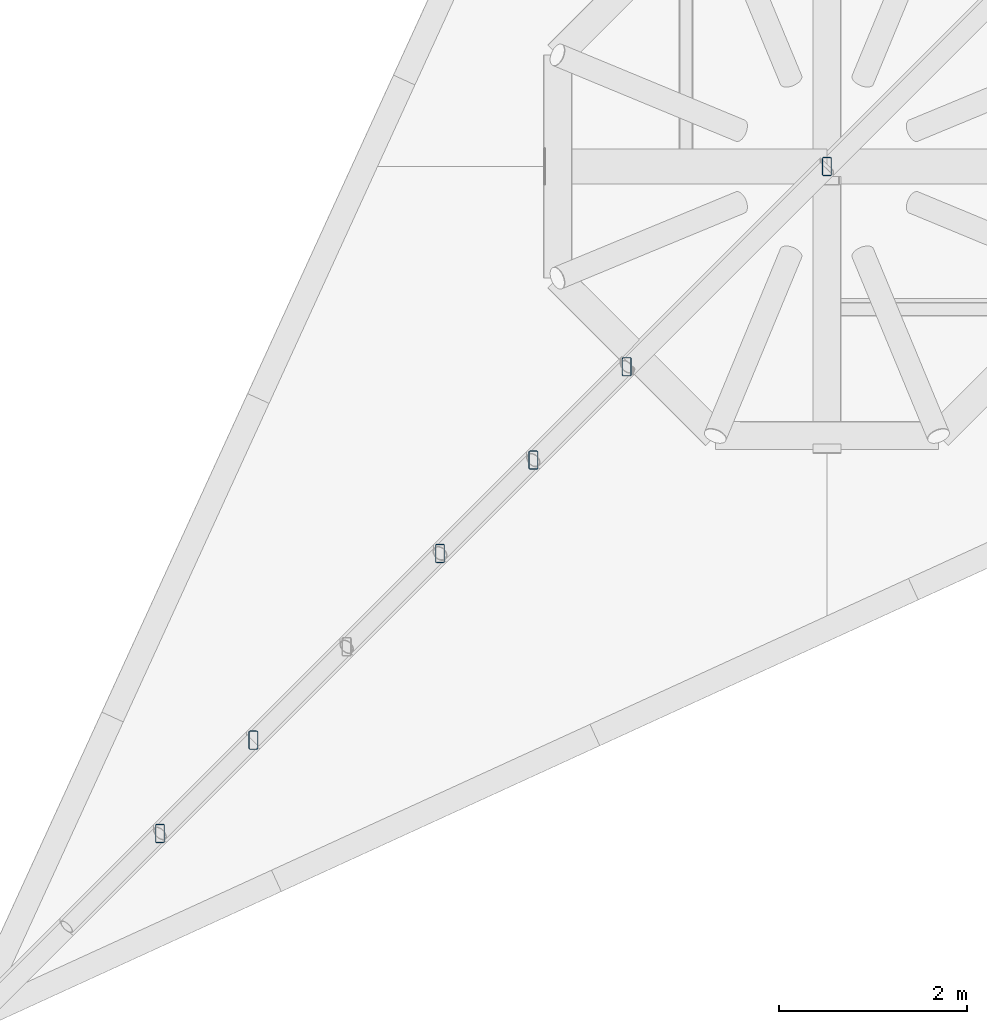
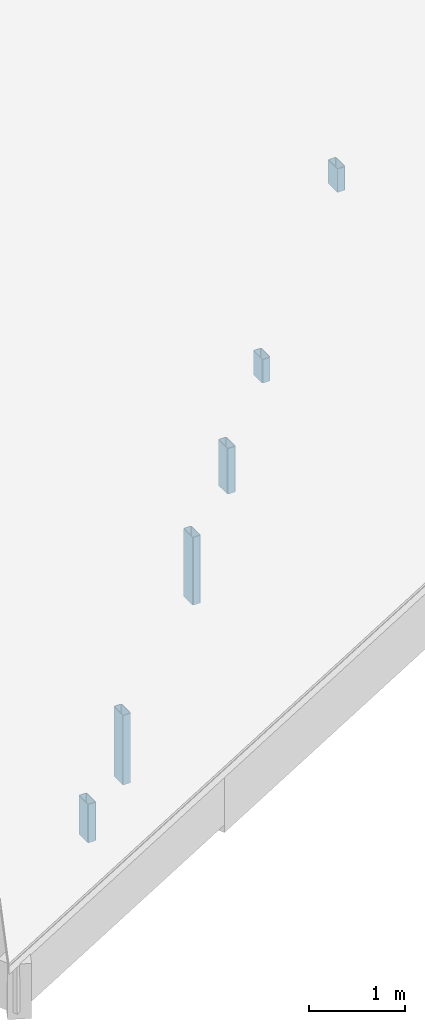
# One storey, part 27 of 56: 6 members.
"""IFC4 building model written with IfcOpenShell, lengths in metres."""

from ifc_helpers import new_model, si_unit, direction, frame, origin, origin_2d, place, context, subcontext, project, spatial, hollow_rectangle, extrude, material, material_profile, profile_set, type_object, element, save


model = new_model("IFC4")

# Units and contexts
model_context = context("Model", 3, precision=1e-05, world=origin(), true_north=direction((0.0, 1.0)))
body_context = subcontext(model_context, "Body", "Model", "MODEL_VIEW")
ifc_project = project(units=[si_unit("LENGTHUNIT", "METRE"), si_unit("AREAUNIT", "SQUARE_METRE"), si_unit("VOLUMEUNIT", "CUBIC_METRE"), si_unit("PLANEANGLEUNIT", "RADIAN"), si_unit("MASSUNIT", "GRAM", prefix="KILO")], contexts=[model_context])

# Site, building, storey
site_placement = place(None, origin())
site = spatial("IfcSite", under=ifc_project, at=site_placement, CompositionType="ELEMENT")
building_placement = place(site_placement, origin())
building = spatial("IfcBuilding", under=site, at=building_placement, Name="Magnolia Steps Interchange", CompositionType="ELEMENT")
storey_placement = place(building_placement, frame((0.0, 0.0, 8.699951171875)))
storey = spatial("IfcBuildingStorey", under=building, at=storey_placement, Name="L02", CompositionType="ELEMENT", Elevation=8.699951171875)

# Members
ifc_material = material(Name="Steel Q355B", Category="steel")
ifc_material_profile = material_profile(ifc_material, hollow_rectangle(XDim=0.10009765625, YDim=0.199951171875, WallThickness=0.008056640625, InnerFilletRadius=0.008056640625, OuterFilletRadius=0.01611328125, at=origin_2d()), Name="RHS200x100x8")
ifc_profile_set = profile_set([ifc_material_profile], Name="Steel Q355B")
member_type = type_object("IfcMemberType", Name="Roof truss post RHS200x100x8", PredefinedType="USERDEFINED", material=ifc_profile_set)
for number, where, z_axis, x_axis, name in (
    (1, (53.199951171875, 42.39990234375, 1.64453125), (0.0, 0.0, 1.0), (1.0, 0.0, 0.0), "Spike truss SP-H-SW post"),
    (2, (51.06884765625, 40.268798828125, 1.2548828125), (0.0, 0.0, 1.0), (1.0, 0.0, 0.0), "Spike truss SP-H-SW post"),
):
    element("IfcMember", number, at=place(storey_placement, frame(where, z_axis=z_axis, x_axis=x_axis)), inside=storey, type_object=member_type, Name=name, ObjectType="Roof truss post", PredefinedType="USERDEFINED", context=body_context, shape_type="SweptSolid", body=[
        extrude(hollow_rectangle(XDim=0.10009765625, YDim=0.199951171875, WallThickness=0.008056640625, InnerFilletRadius=0.008056640625, OuterFilletRadius=0.01611328125, at=origin_2d()), origin(), (0.0, 0.0, 1.0), 0.300048828125),
    ])
member_1_placement = place(storey_placement, frame((50.0751953125, 39.275146484375, 0.7919921875), z_axis=(0.0, 0.0, 1.0), x_axis=(1.0, 0.0, 0.0)))
element("IfcMember", 3, at=member_1_placement, inside=storey, type_object=member_type, Name="Spike truss SP-H-SW post", ObjectType="Roof truss post", PredefinedType="USERDEFINED", context=body_context, shape_type="SweptSolid", body=[
    extrude(hollow_rectangle(XDim=0.10009765625, YDim=0.199951171875, WallThickness=0.008056640625, InnerFilletRadius=0.008056640625, OuterFilletRadius=0.01611328125, at=origin_2d()), origin(), (0.0, 0.0, 1.0), 0.5810546875),
])
member_2_placement = place(storey_placement, frame((49.08154296875, 38.281494140625, 0.329345703125), z_axis=(0.0, 0.0, 1.0), x_axis=(1.0, 0.0, 0.0)))
element("IfcMember", 4, at=member_2_placement, inside=storey, type_object=member_type, Name="Spike truss SP-H-SW post", ObjectType="Roof truss post", PredefinedType="USERDEFINED", context=body_context, shape_type="SweptSolid", body=[
    extrude(hollow_rectangle(XDim=0.10009765625, YDim=0.199951171875, WallThickness=0.008056640625, InnerFilletRadius=0.008056640625, OuterFilletRadius=0.01611328125, at=origin_2d()), origin(), (0.0, 0.0, 1.0), 0.862060546875),
])
member_3_placement = place(storey_placement, frame((47.094482421875, 36.29443359375, -0.05712890625), z_axis=(0.0, 0.0, 1.0), x_axis=(1.0, 0.0, 0.0)))
element("IfcMember", 5, at=member_3_placement, inside=storey, type_object=member_type, Name="Spike truss SP-H-SW post", ObjectType="Roof truss post", PredefinedType="USERDEFINED", context=body_context, shape_type="SweptSolid", body=[
    extrude(hollow_rectangle(XDim=0.10009765625, YDim=0.199951171875, WallThickness=0.008056640625, InnerFilletRadius=0.008056640625, OuterFilletRadius=0.01611328125, at=origin_2d()), origin(), (0.0, 0.0, 1.0), 0.885009765625),
])
member_4_placement = place(storey_placement, frame((46.100830078125, 35.30078125, 0.156005859375), z_axis=(0.0, 0.0, 1.0), x_axis=(1.0, 0.0, 0.0)))
element("IfcMember", 6, at=member_4_placement, inside=storey, type_object=member_type, Name="Spike truss SP-H-SW post", ObjectType="Roof truss post", PredefinedType="USERDEFINED", context=body_context, shape_type="SweptSolid", body=[
    extrude(hollow_rectangle(XDim=0.10009765625, YDim=0.199951171875, WallThickness=0.008056640625, InnerFilletRadius=0.008056640625, OuterFilletRadius=0.01611328125, at=origin_2d()), origin(), (0.0, 0.0, 1.0), 0.489990234375),
])

save(model, "model.ifc")
